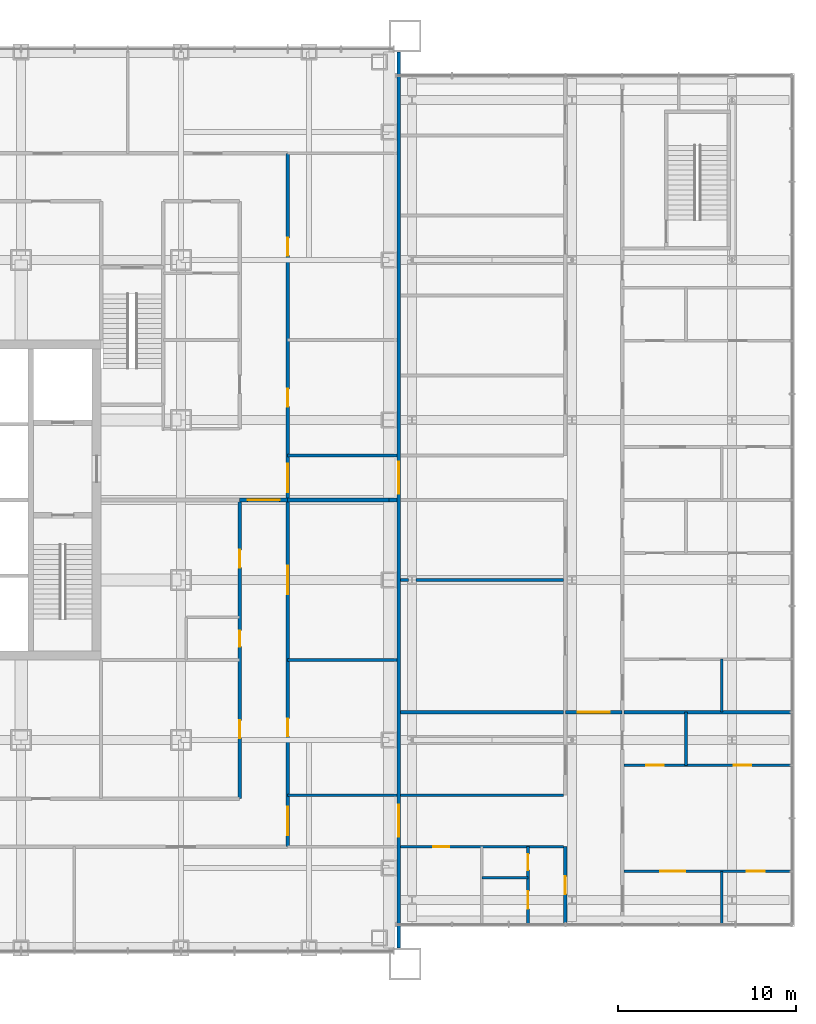
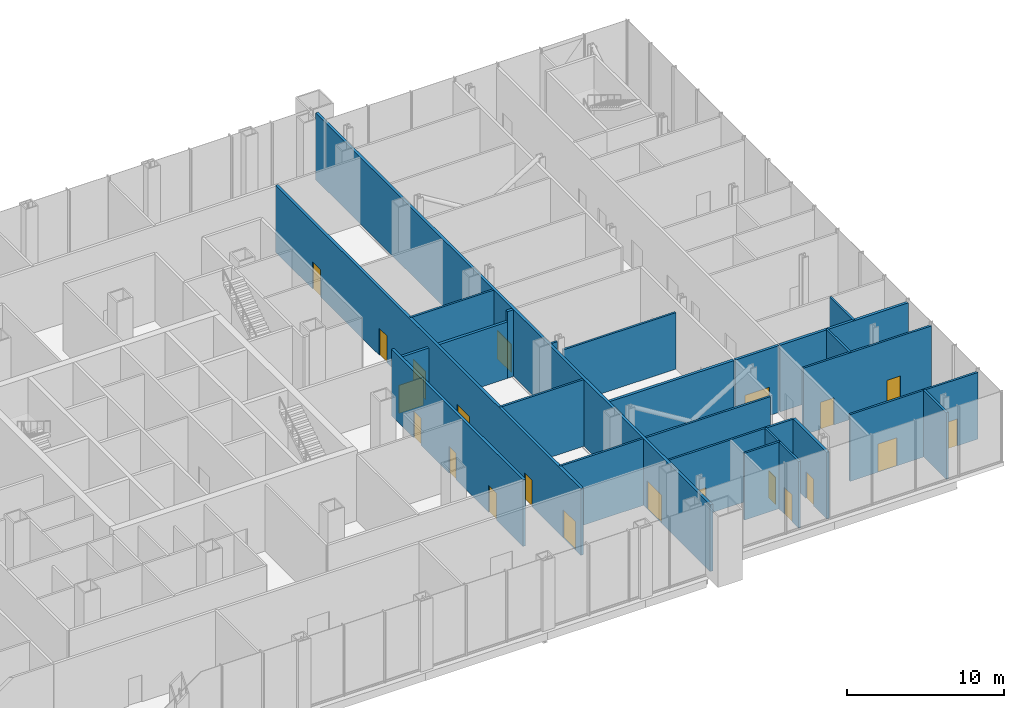
# One storey, part 17 of 25: 24 walls, 21 doors, 21 openings.
"""IFC4 building model written with IfcOpenShell, lengths in metres."""

from ifc_helpers import new_model, si_unit, direction, frame, frame_2d, origin, place, context, subcontext, project, spatial, rectangle, extrude, material, layer, layer_set, type_object, element, fill, save


model = new_model("IFC4")

# Units and contexts
model_context = context("Model", 3, precision=1e-05, world=origin(), true_north=direction((0.0, 1.0)))
body_context = subcontext(model_context, "Body", "Model", "MODEL_VIEW")
ifc_project = project(units=[si_unit("LENGTHUNIT", "METRE"), si_unit("AREAUNIT", "SQUARE_METRE"), si_unit("VOLUMEUNIT", "CUBIC_METRE"), si_unit("PLANEANGLEUNIT", "RADIAN"), si_unit("MASSUNIT", "GRAM", prefix="KILO")], contexts=[model_context])

# Site, building, storey
site_placement = place(None, origin())
site = spatial("IfcSite", under=ifc_project, at=site_placement, CompositionType="ELEMENT")
building_placement = place(site_placement, origin())
building = spatial("IfcBuilding", under=site, at=building_placement, Name="Malebo Sky Hospital", CompositionType="ELEMENT")
storey_placement = place(building_placement, frame((0.0, 0.0, 11.0)))
storey = spatial("IfcBuildingStorey", under=building, at=storey_placement, Name="L02", CompositionType="ELEMENT", Elevation=11.0)

# Wall, openings, doors
ifc_material_1 = material(Name="Gypsum board on steel studs", Category="steel")
ifc_layer_1 = layer(ifc_material_1, 0.199951171875)
ifc_layer_set_1 = layer_set([ifc_layer_1], Name="CORRIDOR WALL 200")
wall_type_1 = type_object("IfcWallType", Name="CORRIDOR WALL 200", PredefinedType="PARTITIONING", material=ifc_layer_set_1)
wall_1_placement = place(storey_placement, frame((79.5, 81.5, 0.0), z_axis=(0.0, 0.0, 1.0), x_axis=(0.0, -1.0, 0.0)))
wall_1 = element("IfcWall", 1, at=wall_1_placement, inside=storey, type_object=wall_type_1, Name="Corridor Wall 200 ECO", PredefinedType="PARTITIONING", context=body_context, shape_type="SweptSolid", body=[
    extrude(rectangle(XDim=39.0, YDim=0.199951171875, at=frame_2d((19.5, 0.0))), origin(), (0.0, 0.0, 1.0), 5.199951171875),
])
opening_1_placement = place(wall_1_placement, frame((4.75, 0.0, 0.0)))
opening_1 = element("IfcOpeningElement", 2, at=opening_1_placement, cuts=wall_1, Name="Opening D03", PredefinedType="OPENING", context=body_context, shape_type="SweptSolid", body=[
    extrude(rectangle(XDim=1.0, YDim=2.10009765625, at=frame_2d((0.5, 1.050048828125))), frame((0.0, 0.10986328125, 0.0), z_axis=(0.0, -1.0, 0.0), x_axis=(1.0, 0.0, 0.0)), (0.0, 0.0, 1.0), 0.219970703125),
])
opening_2_placement = place(wall_1_placement, frame((13.25, 0.0, 0.0)))
opening_2 = element("IfcOpeningElement", 3, at=opening_2_placement, cuts=wall_1, Name="Opening D03", PredefinedType="OPENING", context=body_context, shape_type="SweptSolid", body=[
    extrude(rectangle(XDim=1.0, YDim=2.10009765625, at=frame_2d((0.5, 1.050048828125))), frame((0.0, 0.10986328125, 0.0), z_axis=(0.0, -1.0, 0.0), x_axis=(1.0, 0.0, 0.0)), (0.0, 0.0, 1.0), 0.219970703125),
])
opening_3_placement = place(wall_1_placement, frame((17.449951171875, 0.0, 0.0)))
opening_3 = element("IfcOpeningElement", 4, at=opening_3_placement, cuts=wall_1, Name="Opening D14", PredefinedType="OPENING", context=body_context, shape_type="SweptSolid", body=[
    extrude(rectangle(XDim=1.60009765625, YDim=2.199951171875, at=frame_2d((0.800048828125, 1.10009765625))), frame((0.0, 0.10986328125, 0.0), z_axis=(0.0, -1.0, 0.0), x_axis=(1.0, 0.0, 0.0)), (0.0, 0.0, 1.0), 0.219970703125),
])
opening_4_placement = place(wall_1_placement, frame((23.199951171875, 0.0, 0.0)))
opening_4 = element("IfcOpeningElement", 5, at=opening_4_placement, cuts=wall_1, Name="Opening D14", PredefinedType="OPENING", context=body_context, shape_type="SweptSolid", body=[
    extrude(rectangle(XDim=1.60009765625, YDim=2.199951171875, at=frame_2d((0.800048828125, 1.10009765625))), frame((0.0, 0.10986328125, 0.0), z_axis=(0.0, -1.0, 0.0), x_axis=(1.0, 0.0, 0.0)), (0.0, 0.0, 1.0), 0.219970703125),
])
opening_5_placement = place(wall_1_placement, frame((31.800048828125, 0.0, 0.0)))
opening_5 = element("IfcOpeningElement", 6, at=opening_5_placement, cuts=wall_1, Name="Opening D03", PredefinedType="OPENING", context=body_context, shape_type="SweptSolid", body=[
    extrude(rectangle(XDim=1.0, YDim=2.10009765625, at=frame_2d((0.5, 1.050048828125))), frame((0.0, 0.10986328125, 0.0), z_axis=(0.0, -1.0, 0.0), x_axis=(1.0, 0.0, 0.0)), (0.0, 0.0, 1.0), 0.219970703125),
])
opening_6_placement = place(wall_1_placement, frame((36.75, 0.0, 0.0)))
opening_6 = element("IfcOpeningElement", 7, at=opening_6_placement, cuts=wall_1, Name="Opening D14", PredefinedType="OPENING", context=body_context, shape_type="SweptSolid", body=[
    extrude(rectangle(XDim=1.60009765625, YDim=2.199951171875, at=frame_2d((0.800048828125, 1.10009765625))), frame((0.0, 0.10986328125, 0.0), z_axis=(0.0, -1.0, 0.0), x_axis=(1.0, 0.0, 0.0)), (0.0, 0.0, 1.0), 0.219970703125),
])
ifc_material_2 = material(Name="Hardwood-faced door leaf in steel frame", Category="steel")
door_type_1 = type_object("IfcDoorType", Name="DEPARTMENT DOOR PAIR 1600", OperationType="DOUBLE_DOOR_DOUBLE_SWING", PredefinedType="DOOR", material=ifc_material_2)
door_1_placement = place(opening_3_placement, origin())
door_1 = element("IfcDoor", 8, at=door_1_placement, inside=storey, type_object=door_type_1, Name="Link corridor door pair", OperationType="DOUBLE_DOOR_DOUBLE_SWING", OverallHeight=2.199951171875, OverallWidth=1.60009765625, PredefinedType="DOOR", context=body_context, shape_type="SweptSolid", body=[
    extrude(rectangle(XDim=1.60009765625, YDim=2.199951171875, at=frame_2d((0.800048828125, 1.10009765625))), frame((0.0, 0.02490234375, 0.0), z_axis=(0.0, -1.0, 0.0), x_axis=(1.0, 0.0, 0.0)), (0.0, 0.0, 1.0), 0.050048828125),
])
fill(opening_3, door_1)
door_2_placement = place(opening_4_placement, origin())
door_2 = element("IfcDoor", 9, at=door_2_placement, inside=storey, type_object=door_type_1, Name="Anaesthetic equipment store door", OperationType="DOUBLE_DOOR_DOUBLE_SWING", OverallHeight=2.199951171875, OverallWidth=1.60009765625, PredefinedType="DOOR", context=body_context, shape_type="SweptSolid", body=[
    extrude(rectangle(XDim=1.60009765625, YDim=2.199951171875, at=frame_2d((0.800048828125, 1.10009765625))), frame((0.0, 0.02490234375, 0.0), z_axis=(0.0, -1.0, 0.0), x_axis=(1.0, 0.0, 0.0)), (0.0, 0.0, 1.0), 0.050048828125),
])
fill(opening_4, door_2)
door_3_placement = place(opening_6_placement, origin())
door_3 = element("IfcDoor", 10, at=door_3_placement, inside=storey, type_object=door_type_1, Name="Link corridor door pair", OperationType="DOUBLE_DOOR_DOUBLE_SWING", OverallHeight=2.199951171875, OverallWidth=1.60009765625, PredefinedType="DOOR", context=body_context, shape_type="SweptSolid", body=[
    extrude(rectangle(XDim=1.60009765625, YDim=2.199951171875, at=frame_2d((0.800048828125, 1.10009765625))), frame((0.0, 0.02490234375, 0.0), z_axis=(0.0, -1.0, 0.0), x_axis=(1.0, 0.0, 0.0)), (0.0, 0.0, 1.0), 0.050048828125),
])
fill(opening_6, door_3)
door_type_2 = type_object("IfcDoorType", Name="ROOM DOOR 1000", OperationType="SINGLE_SWING_LEFT", PredefinedType="DOOR", material=ifc_material_2)
door_4_placement = place(opening_1_placement, origin())
door_4 = element("IfcDoor", 11, at=door_4_placement, inside=storey, type_object=door_type_2, Name="Theatre staff rest room door", OperationType="SINGLE_SWING_LEFT", OverallHeight=2.10009765625, OverallWidth=1.0, PredefinedType="DOOR", context=body_context, shape_type="SweptSolid", body=[
    extrude(rectangle(XDim=1.0, YDim=2.10009765625, at=frame_2d((0.5, 1.050048828125))), frame((0.0, 0.02490234375, 0.0), z_axis=(0.0, -1.0, 0.0), x_axis=(1.0, 0.0, 0.0)), (0.0, 0.0, 1.0), 0.050048828125),
])
fill(opening_1, door_4)
door_5_placement = place(opening_2_placement, origin())
door_5 = element("IfcDoor", 12, at=door_5_placement, inside=storey, type_object=door_type_2, Name="Theatre manager's office door", OperationType="SINGLE_SWING_LEFT", OverallHeight=2.10009765625, OverallWidth=1.0, PredefinedType="DOOR", context=body_context, shape_type="SweptSolid", body=[
    extrude(rectangle(XDim=1.0, YDim=2.10009765625, at=frame_2d((0.5, 1.050048828125))), frame((0.0, 0.02490234375, 0.0), z_axis=(0.0, -1.0, 0.0), x_axis=(1.0, 0.0, 0.0)), (0.0, 0.0, 1.0), 0.050048828125),
])
fill(opening_2, door_5)
door_6_placement = place(opening_5_placement, origin())
door_6 = element("IfcDoor", 13, at=door_6_placement, inside=storey, type_object=door_type_2, Name="Theatre dirty utility room door", OperationType="SINGLE_SWING_LEFT", OverallHeight=2.10009765625, OverallWidth=1.0, PredefinedType="DOOR", context=body_context, shape_type="SweptSolid", body=[
    extrude(rectangle(XDim=1.0, YDim=2.10009765625, at=frame_2d((0.5, 1.050048828125))), frame((0.0, 0.02490234375, 0.0), z_axis=(0.0, -1.0, 0.0), x_axis=(1.0, 0.0, 0.0)), (0.0, 0.0, 1.0), 0.050048828125),
])
fill(opening_5, door_6)

wall_2_placement = place(storey_placement, frame((76.800048828125, 62.0, 0.0), z_axis=(0.0, 0.0, 1.0), x_axis=(0.0, -1.0, 0.0)))
wall_2 = element("IfcWall", 14, at=wall_2_placement, inside=storey, type_object=wall_type_1, Name="Corridor Wall 200 ECI2", PredefinedType="PARTITIONING", context=body_context, shape_type="SweptSolid", body=[
    extrude(rectangle(XDim=16.800048828125, YDim=0.199951171875, at=frame_2d((8.39990234375, 0.0))), origin(), (0.0, 0.0, 1.0), 5.199951171875),
])
opening_7_placement = place(wall_2_placement, frame((12.39990234375, 0.0, 0.0)))
opening_7 = element("IfcOpeningElement", 15, at=opening_7_placement, cuts=wall_2, Name="Opening D03", PredefinedType="OPENING", context=body_context, shape_type="SweptSolid", body=[
    extrude(rectangle(XDim=1.0, YDim=2.10009765625, at=frame_2d((0.5, 1.050048828125))), frame((0.0, 0.10986328125, 0.0), z_axis=(0.0, -1.0, 0.0), x_axis=(1.0, 0.0, 0.0)), (0.0, 0.0, 1.0), 0.219970703125),
])
opening_8_placement = place(wall_2_placement, frame((7.35009765625, 0.0, 0.0)))
opening_8 = element("IfcOpeningElement", 16, at=opening_8_placement, cuts=wall_2, Name="Opening D04", PredefinedType="OPENING", context=body_context, shape_type="SweptSolid", body=[
    extrude(rectangle(XDim=0.89990234375, YDim=2.10009765625, at=frame_2d((0.449951171875, 1.050048828125))), frame((0.0, 0.10986328125, 0.0), z_axis=(0.0, -1.0, 0.0), x_axis=(1.0, 0.0, 0.0)), (0.0, 0.0, 1.0), 0.219970703125),
])
opening_9_placement = place(wall_2_placement, frame((2.800048828125, 0.0, 0.0)))
opening_9 = element("IfcOpeningElement", 17, at=opening_9_placement, cuts=wall_2, Name="Opening D03", PredefinedType="OPENING", context=body_context, shape_type="SweptSolid", body=[
    extrude(rectangle(XDim=1.0, YDim=2.10009765625, at=frame_2d((0.5, 1.050048828125))), frame((0.0, 0.10986328125, 0.0), z_axis=(0.0, -1.0, 0.0), x_axis=(1.0, 0.0, 0.0)), (0.0, 0.0, 1.0), 0.219970703125),
])
door_7_placement = place(opening_7_placement, origin())
door_7 = element("IfcDoor", 18, at=door_7_placement, inside=storey, type_object=door_type_2, Name="Linen store door", OperationType="SINGLE_SWING_RIGHT", OverallHeight=2.10009765625, OverallWidth=1.0, PredefinedType="DOOR", context=body_context, shape_type="SweptSolid", body=[
    extrude(rectangle(XDim=1.0, YDim=2.10009765625, at=frame_2d((0.5, 1.050048828125))), frame((0.0, 0.02490234375, 0.0), z_axis=(0.0, -1.0, 0.0), x_axis=(1.0, 0.0, 0.0)), (0.0, 0.0, 1.0), 0.050048828125),
])
fill(opening_7, door_7)
door_8_placement = place(opening_9_placement, origin())
door_8 = element("IfcDoor", 19, at=door_8_placement, inside=storey, type_object=door_type_2, Name="Cleaning equipment store door", OperationType="SINGLE_SWING_LEFT", OverallHeight=2.10009765625, OverallWidth=1.0, PredefinedType="DOOR", context=body_context, shape_type="SweptSolid", body=[
    extrude(rectangle(XDim=1.0, YDim=2.10009765625, at=frame_2d((0.5, 1.050048828125))), frame((0.0, 0.02490234375, 0.0), z_axis=(0.0, -1.0, 0.0), x_axis=(1.0, 0.0, 0.0)), (0.0, 0.0, 1.0), 0.050048828125),
])
fill(opening_9, door_8)
door_type_3 = type_object("IfcDoorType", Name="ROOM DOOR 900", OperationType="SINGLE_SWING_LEFT", PredefinedType="DOOR", material=ifc_material_2)
door_9_placement = place(opening_8_placement, origin())
door_9 = element("IfcDoor", 20, at=door_9_placement, inside=storey, type_object=door_type_3, Name="Cleaner's room door", OperationType="SINGLE_SWING_LEFT", OverallHeight=2.10009765625, OverallWidth=0.89990234375, PredefinedType="DOOR", context=body_context, shape_type="SweptSolid", body=[
    extrude(rectangle(XDim=0.89990234375, YDim=2.10009765625, at=frame_2d((0.449951171875, 1.050048828125))), frame((0.0, 0.02490234375, 0.0), z_axis=(0.0, -1.0, 0.0), x_axis=(1.0, 0.0, 0.0)), (0.0, 0.0, 1.0), 0.050048828125),
])
fill(opening_8, door_9)

# Wall, opening, door
wall_3_placement = place(storey_placement, frame((95.117919921875, 38.14990234375, 0.0), z_axis=(0.0, 0.0, 1.0), x_axis=(0.0, 1.0, 0.0)))
wall_3 = element("IfcWall", 21, at=wall_3_placement, inside=storey, type_object=wall_type_1, Name="Corridor Wall 200 EWC2A", PredefinedType="PARTITIONING", context=body_context, shape_type="SweptSolid", body=[
    extrude(rectangle(XDim=4.35009765625, YDim=0.199951171875, at=frame_2d((2.175048828125, 0.0))), origin(), (0.0, 0.0, 1.0), 5.199951171875),
])
opening_10_placement = place(wall_3_placement, frame((1.675048828125, 0.0, 0.0)))
opening_10 = element("IfcOpeningElement", 22, at=opening_10_placement, cuts=wall_3, Name="Opening D03", PredefinedType="OPENING", context=body_context, shape_type="SweptSolid", body=[
    extrude(rectangle(XDim=1.0, YDim=2.10009765625, at=frame_2d((0.5, 1.050048828125))), frame((0.0, 0.10986328125, 0.0), z_axis=(0.0, -1.0, 0.0), x_axis=(1.0, 0.0, 0.0)), (0.0, 0.0, 1.0), 0.219970703125),
])
door_10_placement = place(opening_10_placement, origin())
door_10 = element("IfcDoor", 23, at=door_10_placement, inside=storey, type_object=door_type_2, Name="WC vestibule door", OperationType="SINGLE_SWING_RIGHT", OverallHeight=2.10009765625, OverallWidth=1.0, PredefinedType="DOOR", context=body_context, shape_type="SweptSolid", body=[
    extrude(rectangle(XDim=1.0, YDim=2.10009765625, at=frame_2d((0.5, 1.050048828125))), frame((0.0, 0.02490234375, 0.0), z_axis=(0.0, -1.0, 0.0), x_axis=(1.0, 0.0, 0.0)), (0.0, 0.0, 1.0), 0.050048828125),
])
fill(opening_10, door_10)

# Wall, openings, doors
ifc_material_3 = material(Name="Concrete blockwork", Category="masonry")
ifc_layer_2 = layer(ifc_material_3, 0.199951171875)
ifc_layer_set_2 = layer_set([ifc_layer_2], Name="MOVEMENT JOINT WALL 200")
wall_type_2 = type_object("IfcWallType", Name="MOVEMENT JOINT WALL 200", PredefinedType="SOLIDWALL", material=ifc_layer_set_2)
wall_4_placement = place(storey_placement, frame((85.75, 36.800048828125, 0.0), z_axis=(0.0, 0.0, 1.0), x_axis=(0.0, 1.0, 0.0)))
wall_4 = element("IfcWall", 24, at=wall_4_placement, inside=storey, type_object=wall_type_2, Name="Movement Joint Wall 200 EJ", PredefinedType="SOLIDWALL", context=body_context, shape_type="SweptSolid", body=[
    extrude(rectangle(XDim=50.39990234375, YDim=0.199951171875, at=frame_2d((25.199951171875, 0.0))), origin(), (0.0, 0.0, 1.0), 5.199951171875),
])
opening_11_placement = place(wall_4_placement, frame((6.25, 0.0, 0.0)))
opening_11 = element("IfcOpeningElement", 25, at=opening_11_placement, cuts=wall_4, Name="Opening D28", PredefinedType="OPENING", context=body_context, shape_type="SweptSolid", body=[
    extrude(rectangle(XDim=1.800048828125, YDim=2.199951171875, at=frame_2d((0.89990234375, 1.10009765625))), frame((0.0, 0.10986328125, 0.0), z_axis=(0.0, -1.0, 0.0), x_axis=(1.0, 0.0, 0.0)), (0.0, 0.0, 1.0), 0.219970703125),
])
opening_12_placement = place(wall_4_placement, frame((25.550048828125, 0.0, 0.0)))
opening_12 = element("IfcOpeningElement", 26, at=opening_12_placement, cuts=wall_4, Name="Opening D28", PredefinedType="OPENING", context=body_context, shape_type="SweptSolid", body=[
    extrude(rectangle(XDim=1.800048828125, YDim=2.199951171875, at=frame_2d((0.89990234375, 1.10009765625))), frame((0.0, 0.10986328125, 0.0), z_axis=(0.0, -1.0, 0.0), x_axis=(1.0, 0.0, 0.0)), (0.0, 0.0, 1.0), 0.219970703125),
])
door_type_4 = type_object("IfcDoorType", Name="FIRE DOOR PAIR 1800", OperationType="DOUBLE_DOOR_SINGLE_SWING", PredefinedType="DOOR", material=ifc_material_2)
door_11_placement = place(opening_11_placement, origin())
door_11 = element("IfcDoor", 27, at=door_11_placement, inside=storey, type_object=door_type_4, Name="Link fire door pair", OperationType="DOUBLE_DOOR_SINGLE_SWING", OverallHeight=2.199951171875, OverallWidth=1.800048828125, PredefinedType="DOOR", context=body_context, shape_type="SweptSolid", body=[
    extrude(rectangle(XDim=1.800048828125, YDim=2.199951171875, at=frame_2d((0.89990234375, 1.10009765625))), frame((0.0, 0.02490234375, 0.0), z_axis=(0.0, -1.0, 0.0), x_axis=(1.0, 0.0, 0.0)), (0.0, 0.0, 1.0), 0.050048828125),
])
fill(opening_11, door_11)
door_12_placement = place(opening_12_placement, origin())
door_12 = element("IfcDoor", 28, at=door_12_placement, inside=storey, type_object=door_type_4, Name="Link fire door pair", OperationType="DOUBLE_DOOR_SINGLE_SWING", OverallHeight=2.199951171875, OverallWidth=1.800048828125, PredefinedType="DOOR", context=body_context, shape_type="SweptSolid", body=[
    extrude(rectangle(XDim=1.800048828125, YDim=2.199951171875, at=frame_2d((0.89990234375, 1.10009765625))), frame((0.0, 0.02490234375, 0.0), z_axis=(0.0, -1.0, 0.0), x_axis=(1.0, 0.0, 0.0)), (0.0, 0.0, 1.0), 0.050048828125),
])
fill(opening_12, door_12)

# Walls
ifc_layer_3 = layer(ifc_material_1, 0.14990234375)
ifc_layer_set_3 = layer_set([ifc_layer_3], Name="PARTITION 150")
wall_type_3 = type_object("IfcWallType", Name="PARTITION 150", PredefinedType="PARTITIONING", material=ifc_layer_set_3)
for number, where, z_axis, x_axis, name in (
    (29, (79.5, 64.5, 0.0), (0.0, 0.0, 1.0), (1.0, 0.0, 0.0), "Partition 150 EP-2.5"),
    (30, (79.5, 53.0, 0.0), (0.0, 0.0, 1.0), (1.0, 0.0, 0.0), "Partition 150 EP+9.0"),
    (31, (79.5, 45.39990234375, 0.0), (0.0, 0.0, 1.0), (1.0, 0.0, 0.0), "Partition 150 EP+16.6"),
):
    element("IfcWall", number, at=place(storey_placement, frame(where, z_axis=z_axis, x_axis=x_axis)), inside=storey, type_object=wall_type_3, Name=name, PredefinedType="PARTITIONING", context=body_context, shape_type="SweptSolid", body=[
        extrude(rectangle(XDim=6.14990234375, YDim=0.14990234375, at=frame_2d((3.074951171875, 0.0))), origin(), (0.0, 0.0, 1.0), 5.199951171875),
    ])

# Wall, openings, doors
wall_5_placement = place(storey_placement, frame((107.85009765625, 41.109375, 0.0), z_axis=(0.0, 0.0, 1.0), x_axis=(-1.0, 0.0, 0.0)))
wall_5 = element("IfcWall", 32, at=wall_5_placement, inside=storey, type_object=wall_type_3, Name="Partition 150 EOH00", PredefinedType="PARTITIONING", context=body_context, shape_type="SweptSolid", body=[
    extrude(rectangle(XDim=9.443115234375, YDim=0.14990234375, at=frame_2d((4.7216796875, 0.0))), origin(), (0.0, 0.0, 1.0), 5.199951171875),
])
opening_13_placement = place(wall_5_placement, frame((5.992919921875, 0.0, 0.0)))
opening_13 = element("IfcOpeningElement", 33, at=opening_13_placement, cuts=wall_5, Name="Opening D25", PredefinedType="OPENING", context=body_context, shape_type="SweptSolid", body=[
    extrude(rectangle(XDim=1.39990234375, YDim=2.199951171875, at=frame_2d((0.699951171875, 1.10009765625))), frame((0.0, 0.0849609375, 0.0), z_axis=(0.0, -1.0, 0.0), x_axis=(1.0, 0.0, 0.0)), (0.0, 0.0, 1.0), 0.169921875),
])
opening_14_placement = place(wall_5_placement, frame((1.521484375, 0.0, 0.0)))
opening_14 = element("IfcOpeningElement", 34, at=opening_14_placement, cuts=wall_5, Name="Opening D03", PredefinedType="OPENING", context=body_context, shape_type="SweptSolid", body=[
    extrude(rectangle(XDim=1.0, YDim=2.10009765625, at=frame_2d((0.5, 1.050048828125))), frame((0.0, 0.0849609375, 0.0), z_axis=(0.0, -1.0, 0.0), x_axis=(1.0, 0.0, 0.0)), (0.0, 0.0, 1.0), 0.169921875),
])
door_type_5 = type_object("IfcDoorType", Name="BED DOOR PAIR 1400", OperationType="DOUBLE_DOOR_SINGLE_SWING", PredefinedType="DOOR", material=ifc_material_2)
door_13_placement = place(opening_13_placement, origin())
door_13 = element("IfcDoor", 35, at=door_13_placement, inside=storey, type_object=door_type_5, Name="Anaesthetic room inner door", OperationType="DOUBLE_DOOR_SINGLE_SWING", OverallHeight=2.199951171875, OverallWidth=1.39990234375, PredefinedType="DOOR", context=body_context, shape_type="SweptSolid", body=[
    extrude(rectangle(XDim=1.39990234375, YDim=2.199951171875, at=frame_2d((0.699951171875, 1.10009765625))), frame((0.0, 0.02490234375, 0.0), z_axis=(0.0, -1.0, 0.0), x_axis=(1.0, 0.0, 0.0)), (0.0, 0.0, 1.0), 0.050048828125),
])
fill(opening_13, door_13)
door_14_placement = place(opening_14_placement, origin())
door_14 = element("IfcDoor", 36, at=door_14_placement, inside=storey, type_object=door_type_2, Name="Dirty utility room inner door", OperationType="SINGLE_SWING_RIGHT", OverallHeight=2.10009765625, OverallWidth=1.0, PredefinedType="DOOR", context=body_context, shape_type="SweptSolid", body=[
    extrude(rectangle(XDim=1.0, YDim=2.10009765625, at=frame_2d((0.5, 1.050048828125))), frame((0.0, 0.02490234375, 0.0), z_axis=(0.0, -1.0, 0.0), x_axis=(1.0, 0.0, 0.0)), (0.0, 0.0, 1.0), 0.050048828125),
])
fill(opening_14, door_14)

wall_6_placement = place(storey_placement, frame((107.85009765625, 47.078125, 0.0), z_axis=(0.0, 0.0, 1.0), x_axis=(-1.0, 0.0, 0.0)))
wall_6 = element("IfcWall", 37, at=wall_6_placement, inside=storey, type_object=wall_type_3, Name="Partition 150 EOH01", PredefinedType="PARTITIONING", context=body_context, shape_type="SweptSolid", body=[
    extrude(rectangle(XDim=9.443115234375, YDim=0.14990234375, at=frame_2d((4.7216796875, 0.0))), origin(), (0.0, 0.0, 1.0), 5.199951171875),
])
opening_15_placement = place(wall_6_placement, frame((7.193115234375, 0.0, 0.0)))
opening_15 = element("IfcOpeningElement", 38, at=opening_15_placement, cuts=wall_6, Name="Opening D03", PredefinedType="OPENING", context=body_context, shape_type="SweptSolid", body=[
    extrude(rectangle(XDim=1.0, YDim=2.10009765625, at=frame_2d((0.5, 1.050048828125))), frame((0.0, 0.0849609375, 0.0), z_axis=(0.0, -1.0, 0.0), x_axis=(1.0, 0.0, 0.0)), (0.0, 0.0, 1.0), 0.169921875),
])
opening_16_placement = place(wall_6_placement, frame((2.271484375, 0.0, 0.0)))
opening_16 = element("IfcOpeningElement", 39, at=opening_16_placement, cuts=wall_6, Name="Opening D03", PredefinedType="OPENING", context=body_context, shape_type="SweptSolid", body=[
    extrude(rectangle(XDim=1.0, YDim=2.10009765625, at=frame_2d((0.5, 1.050048828125))), frame((0.0, 0.0849609375, 0.0), z_axis=(0.0, -1.0, 0.0), x_axis=(1.0, 0.0, 0.0)), (0.0, 0.0, 1.0), 0.169921875),
])
door_15_placement = place(opening_15_placement, origin())
door_15 = element("IfcDoor", 40, at=door_15_placement, inside=storey, type_object=door_type_2, Name="Scrub room inner door", OperationType="SINGLE_SWING_LEFT", OverallHeight=2.10009765625, OverallWidth=1.0, PredefinedType="DOOR", context=body_context, shape_type="SweptSolid", body=[
    extrude(rectangle(XDim=1.0, YDim=2.10009765625, at=frame_2d((0.5, 1.050048828125))), frame((0.0, 0.02490234375, 0.0), z_axis=(0.0, -1.0, 0.0), x_axis=(1.0, 0.0, 0.0)), (0.0, 0.0, 1.0), 0.050048828125),
])
fill(opening_15, door_15)
door_16_placement = place(opening_16_placement, origin())
door_16 = element("IfcDoor", 41, at=door_16_placement, inside=storey, type_object=door_type_2, Name="Preparation room inner door", OperationType="SINGLE_SWING_LEFT", OverallHeight=2.10009765625, OverallWidth=1.0, PredefinedType="DOOR", context=body_context, shape_type="SweptSolid", body=[
    extrude(rectangle(XDim=1.0, YDim=2.10009765625, at=frame_2d((0.5, 1.050048828125))), frame((0.0, 0.02490234375, 0.0), z_axis=(0.0, -1.0, 0.0), x_axis=(1.0, 0.0, 0.0)), (0.0, 0.0, 1.0), 0.050048828125),
])
fill(opening_16, door_16)

# Walls
wall_7_placement = place(storey_placement, frame((103.906982421875, 38.14990234375, 0.0), z_axis=(0.0, 0.0, 1.0), x_axis=(0.0, 1.0, 0.0)))
element("IfcWall", 42, at=wall_7_placement, inside=storey, type_object=wall_type_3, Name="Partition 150 EOV08", PredefinedType="PARTITIONING", context=body_context, shape_type="SweptSolid", body=[
    extrude(rectangle(XDim=2.95947265625, YDim=0.14990234375, at=frame_2d((1.479736328125, 0.0))), origin(), (0.0, 0.0, 1.0), 5.199951171875),
])
for number, where, z_axis, x_axis, name in (
    (43, (103.906982421875, 50.0625, 0.0), (0.0, 0.0, 1.0), (0.0, 1.0, 0.0), "Partition 150 EOV09"),
    (44, (101.906982421875, 47.078125, 0.0), (0.0, 0.0, 1.0), (0.0, 1.0, 0.0), "Partition 150 EOV11"),
):
    element("IfcWall", number, at=place(storey_placement, frame(where, z_axis=z_axis, x_axis=x_axis)), inside=storey, type_object=wall_type_3, Name=name, PredefinedType="PARTITIONING", context=body_context, shape_type="SweptSolid", body=[
        extrude(rectangle(XDim=2.984375, YDim=0.14990234375, at=frame_2d((1.4921875, 0.0))), origin(), (0.0, 0.0, 1.0), 5.199951171875),
    ])
wall_8_placement = place(storey_placement, frame((93.01806640625, 40.75, 0.0), z_axis=(0.0, 0.0, 1.0), x_axis=(-1.0, 0.0, 0.0)))
element("IfcWall", 45, at=wall_8_placement, inside=storey, type_object=wall_type_3, Name="Partition 150 EIH00", PredefinedType="PARTITIONING", context=body_context, shape_type="SweptSolid", body=[
    extrude(rectangle(XDim=2.60009765625, YDim=0.14990234375, at=frame_2d((1.300048828125, 0.0))), origin(), (0.0, 0.0, 1.0), 5.199951171875),
])

# Wall, opening, door
wall_9_placement = place(storey_placement, frame((95.01806640625, 42.5, 0.0), z_axis=(0.0, 0.0, 1.0), x_axis=(-1.0, 0.0, 0.0)))
wall_9 = element("IfcWall", 46, at=wall_9_placement, inside=storey, type_object=wall_type_3, Name="Partition 150 EIH01", PredefinedType="PARTITIONING", context=body_context, shape_type="SweptSolid", body=[
    extrude(rectangle(XDim=9.16796875, YDim=0.14990234375, at=frame_2d((4.583984375, 0.0))), origin(), (0.0, 0.0, 1.0), 5.199951171875),
])
opening_17_placement = place(wall_9_placement, frame((6.43408203125, 0.0, 0.0)))
opening_17 = element("IfcOpeningElement", 47, at=opening_17_placement, cuts=wall_9, Name="Opening D04", PredefinedType="OPENING", context=body_context, shape_type="SweptSolid", body=[
    extrude(rectangle(XDim=0.89990234375, YDim=2.10009765625, at=frame_2d((0.449951171875, 1.050048828125))), frame((0.0, 0.0849609375, 0.0), z_axis=(0.0, -1.0, 0.0), x_axis=(1.0, 0.0, 0.0)), (0.0, 0.0, 1.0), 0.169921875),
])
door_17_placement = place(opening_17_placement, origin())
door_17 = element("IfcDoor", 48, at=door_17_placement, inside=storey, type_object=door_type_3, Name="Cleaner's room inner door", OperationType="SINGLE_SWING_LEFT", OverallHeight=2.10009765625, OverallWidth=0.89990234375, PredefinedType="DOOR", context=body_context, shape_type="SweptSolid", body=[
    extrude(rectangle(XDim=0.89990234375, YDim=2.10009765625, at=frame_2d((0.449951171875, 1.050048828125))), frame((0.0, 0.02490234375, 0.0), z_axis=(0.0, -1.0, 0.0), x_axis=(1.0, 0.0, 0.0)), (0.0, 0.0, 1.0), 0.050048828125),
])
fill(opening_17, door_17)

# Walls
wall_10_placement = place(storey_placement, frame((95.01806640625, 45.39990234375, 0.0), z_axis=(0.0, 0.0, 1.0), x_axis=(-1.0, 0.0, 0.0)))
element("IfcWall", 49, at=wall_10_placement, inside=storey, type_object=wall_type_3, Name="Partition 150 EIH02", PredefinedType="PARTITIONING", context=body_context, shape_type="SweptSolid", body=[
    extrude(rectangle(XDim=9.16796875, YDim=0.14990234375, at=frame_2d((4.583984375, 0.0))), origin(), (0.0, 0.0, 1.0), 5.199951171875),
])
wall_11_placement = place(storey_placement, frame((95.01806640625, 57.5, 0.0), z_axis=(0.0, 0.0, 1.0), x_axis=(-1.0, 0.0, 0.0)))
element("IfcWall", 50, at=wall_11_placement, inside=storey, type_object=wall_type_3, Name="Partition 150 EIH04", PredefinedType="PARTITIONING", context=body_context, shape_type="SweptSolid", body=[
    extrude(rectangle(XDim=8.302001953125, YDim=0.14990234375, at=frame_2d((4.15087890625, 0.0))), origin(), (0.0, 0.0, 1.0), 4.39990234375),
])
wall_12_placement = place(storey_placement, frame((86.283935546875, 57.5, 0.0), z_axis=(0.0, 0.0, 1.0), x_axis=(-1.0, 0.0, 0.0)))
element("IfcWall", 51, at=wall_12_placement, inside=storey, type_object=wall_type_3, Name="Partition 150 EIH04", PredefinedType="PARTITIONING", context=body_context, shape_type="SweptSolid", body=[
    extrude(rectangle(XDim=0.433837890625, YDim=0.14990234375, at=frame_2d((0.216796875, 0.0))), origin(), (0.0, 0.0, 1.0), 5.199951171875),
])

# Wall, openings, doors
wall_13_placement = place(storey_placement, frame((93.01806640625, 38.14990234375, 0.0), z_axis=(0.0, 0.0, 1.0), x_axis=(0.0, 1.0, 0.0)))
wall_13 = element("IfcWall", 52, at=wall_13_placement, inside=storey, type_object=wall_type_3, Name="Partition 150 EIV11", PredefinedType="PARTITIONING", context=body_context, shape_type="SweptSolid", body=[
    extrude(rectangle(XDim=4.35009765625, YDim=0.14990234375, at=frame_2d((2.175048828125, 0.0))), origin(), (0.0, 0.0, 1.0), 5.199951171875),
])
opening_18_placement = place(wall_13_placement, frame((0.85009765625, 0.0, 0.0)))
opening_18 = element("IfcOpeningElement", 53, at=opening_18_placement, cuts=wall_13, Name="Opening D03", PredefinedType="OPENING", context=body_context, shape_type="SweptSolid", body=[
    extrude(rectangle(XDim=1.0, YDim=2.10009765625, at=frame_2d((0.5, 1.050048828125))), frame((0.0, 0.0849609375, 0.0), z_axis=(0.0, -1.0, 0.0), x_axis=(1.0, 0.0, 0.0)), (0.0, 0.0, 1.0), 0.169921875),
])
opening_19_placement = place(wall_13_placement, frame((3.02490234375, 0.0, 0.0)))
opening_19 = element("IfcOpeningElement", 54, at=opening_19_placement, cuts=wall_13, Name="Opening D04", PredefinedType="OPENING", context=body_context, shape_type="SweptSolid", body=[
    extrude(rectangle(XDim=0.89990234375, YDim=2.10009765625, at=frame_2d((0.449951171875, 1.050048828125))), frame((0.0, 0.0849609375, 0.0), z_axis=(0.0, -1.0, 0.0), x_axis=(1.0, 0.0, 0.0)), (0.0, 0.0, 1.0), 0.169921875),
])
door_18_placement = place(opening_18_placement, origin())
door_18 = element("IfcDoor", 55, at=door_18_placement, inside=storey, type_object=door_type_2, Name="Accessible WC inner door", OperationType="SINGLE_SWING_RIGHT", OverallHeight=2.10009765625, OverallWidth=1.0, PredefinedType="DOOR", context=body_context, shape_type="SweptSolid", body=[
    extrude(rectangle(XDim=1.0, YDim=2.10009765625, at=frame_2d((0.5, 1.050048828125))), frame((0.0, 0.02490234375, 0.0), z_axis=(0.0, -1.0, 0.0), x_axis=(1.0, 0.0, 0.0)), (0.0, 0.0, 1.0), 0.050048828125),
])
fill(opening_18, door_18)
door_19_placement = place(opening_19_placement, origin())
door_19 = element("IfcDoor", 56, at=door_19_placement, inside=storey, type_object=door_type_3, Name="Staff WC inner door", OperationType="SINGLE_SWING_LEFT", OverallHeight=2.10009765625, OverallWidth=0.89990234375, PredefinedType="DOOR", context=body_context, shape_type="SweptSolid", body=[
    extrude(rectangle(XDim=0.89990234375, YDim=2.10009765625, at=frame_2d((0.449951171875, 1.050048828125))), frame((0.0, 0.02490234375, 0.0), z_axis=(0.0, -1.0, 0.0), x_axis=(1.0, 0.0, 0.0)), (0.0, 0.0, 1.0), 0.050048828125),
])
fill(opening_19, door_19)

# Walls
ifc_layer_4 = layer(ifc_material_3, 0.199951171875)
ifc_layer_set_4 = layer_set([ifc_layer_4], Name="SMOKE BARRIER WALL 200")
wall_type_4 = type_object("IfcWallType", Name="SMOKE BARRIER WALL 200", PredefinedType="SOLIDWALL", material=ifc_layer_set_4)
wall_14_placement = place(storey_placement, frame((79.5, 62.0, 0.0), z_axis=(0.0, 0.0, 1.0), x_axis=(1.0, 0.0, 0.0)))
element("IfcWall", 57, at=wall_14_placement, inside=storey, type_object=wall_type_4, Name="Smoke Barrier Wall 200 EP+0.0", PredefinedType="SOLIDWALL", context=body_context, shape_type="SweptSolid", body=[
    extrude(rectangle(XDim=5.699951171875, YDim=0.199951171875, at=frame_2d((2.85009765625, 0.0))), origin(), (0.0, 0.0, 1.0), 4.39990234375),
])
wall_15_placement = place(storey_placement, frame((85.199951171875, 62.0, 0.0), z_axis=(0.0, 0.0, 1.0), x_axis=(1.0, 0.0, 0.0)))
element("IfcWall", 58, at=wall_15_placement, inside=storey, type_object=wall_type_4, Name="Smoke Barrier Wall 200 EP+0.0", PredefinedType="SOLIDWALL", context=body_context, shape_type="SweptSolid", body=[
    extrude(rectangle(XDim=0.449951171875, YDim=0.199951171875, at=frame_2d((0.22509765625, 0.0))), origin(), (0.0, 0.0, 1.0), 5.199951171875),
])

# Wall, opening, door
wall_16_placement = place(storey_placement, frame((76.800048828125, 62.0, 0.0), z_axis=(0.0, 0.0, 1.0), x_axis=(1.0, 0.0, 0.0)))
wall_16 = element("IfcWall", 59, at=wall_16_placement, inside=storey, type_object=wall_type_4, Name="Smoke Barrier Wall 200 ESB", PredefinedType="SOLIDWALL", context=body_context, shape_type="SweptSolid", body=[
    extrude(rectangle(XDim=2.699951171875, YDim=0.199951171875, at=frame_2d((1.35009765625, 0.0))), origin(), (0.0, 0.0, 1.0), 4.39990234375),
])
opening_20_placement = place(wall_16_placement, frame((0.449951171875, 0.0, 0.0)))
opening_20 = element("IfcOpeningElement", 60, at=opening_20_placement, cuts=wall_16, Name="Opening D05", PredefinedType="OPENING", context=body_context, shape_type="SweptSolid", body=[
    extrude(rectangle(XDim=1.800048828125, YDim=2.199951171875, at=frame_2d((0.89990234375, 1.10009765625))), frame((0.0, 0.10986328125, 0.0), z_axis=(0.0, -1.0, 0.0), x_axis=(1.0, 0.0, 0.0)), (0.0, 0.0, 1.0), 0.219970703125),
])
door_type_6 = type_object("IfcDoorType", Name="SMOKE DOOR PAIR 1800", OperationType="DOUBLE_DOOR_DOUBLE_SWING", PredefinedType="DOOR", material=ifc_material_2)
door_20_placement = place(opening_20_placement, origin())
door_20 = element("IfcDoor", 61, at=door_20_placement, inside=storey, type_object=door_type_6, Name="Smoke compartment door pair", OperationType="DOUBLE_DOOR_DOUBLE_SWING", OverallHeight=2.199951171875, OverallWidth=1.800048828125, PredefinedType="DOOR", context=body_context, shape_type="SweptSolid", body=[
    extrude(rectangle(XDim=1.800048828125, YDim=2.199951171875, at=frame_2d((0.89990234375, 1.10009765625))), frame((0.0, 0.02490234375, 0.0), z_axis=(0.0, -1.0, 0.0), x_axis=(1.0, 0.0, 0.0)), (0.0, 0.0, 1.0), 0.050048828125),
])
fill(opening_20, door_20)

wall_17_placement = place(storey_placement, frame((98.306884765625, 50.0625, 0.0), z_axis=(0.0, 0.0, 1.0), x_axis=(-1.0, 0.0, 0.0)))
wall_17 = element("IfcWall", 62, at=wall_17_placement, inside=storey, type_object=wall_type_4, Name="Smoke Barrier Wall 200 EWSB", PredefinedType="SOLIDWALL", context=body_context, shape_type="SweptSolid", body=[
    extrude(rectangle(XDim=3.18896484375, YDim=0.199951171875, at=frame_2d((1.594482421875, 0.0))), origin(), (0.0, 0.0, 1.0), 5.199951171875),
])
opening_21_placement = place(wall_17_placement, frame((0.694580078125, 0.0, 0.0)))
opening_21 = element("IfcOpeningElement", 63, at=opening_21_placement, cuts=wall_17, Name="Opening D05", PredefinedType="OPENING", context=body_context, shape_type="SweptSolid", body=[
    extrude(rectangle(XDim=1.800048828125, YDim=2.199951171875, at=frame_2d((0.89990234375, 1.10009765625))), frame((0.0, 0.10986328125, 0.0), z_axis=(0.0, -1.0, 0.0), x_axis=(1.0, 0.0, 0.0)), (0.0, 0.0, 1.0), 0.219970703125),
])
door_21_placement = place(opening_21_placement, origin())
door_21 = element("IfcDoor", 64, at=door_21_placement, inside=storey, type_object=door_type_6, Name="Smoke compartment door pair", OperationType="DOUBLE_DOOR_DOUBLE_SWING", OverallHeight=2.199951171875, OverallWidth=1.800048828125, PredefinedType="DOOR", context=body_context, shape_type="SweptSolid", body=[
    extrude(rectangle(XDim=1.800048828125, YDim=2.199951171875, at=frame_2d((0.89990234375, 1.10009765625))), frame((0.0, 0.02490234375, 0.0), z_axis=(0.0, -1.0, 0.0), x_axis=(1.0, 0.0, 0.0)), (0.0, 0.0, 1.0), 0.050048828125),
])
fill(opening_21, door_21)

# Walls
wall_18_placement = place(storey_placement, frame((107.85009765625, 50.0625, 0.0), z_axis=(0.0, 0.0, 1.0), x_axis=(-1.0, 0.0, 0.0)))
element("IfcWall", 65, at=wall_18_placement, inside=storey, type_object=wall_type_4, Name="Smoke Barrier Wall 200 EOH02", PredefinedType="SOLIDWALL", context=body_context, shape_type="SweptSolid", body=[
    extrude(rectangle(XDim=9.443115234375, YDim=0.199951171875, at=frame_2d((4.7216796875, 0.0))), origin(), (0.0, 0.0, 1.0), 5.199951171875),
])
wall_19_placement = place(storey_placement, frame((95.01806640625, 50.0625, 0.0), z_axis=(0.0, 0.0, 1.0), x_axis=(-1.0, 0.0, 0.0)))
element("IfcWall", 66, at=wall_19_placement, inside=storey, type_object=wall_type_4, Name="Smoke Barrier Wall 200 EIH03", PredefinedType="SOLIDWALL", context=body_context, shape_type="SweptSolid", body=[
    extrude(rectangle(XDim=9.16796875, YDim=0.199951171875, at=frame_2d((4.583984375, 0.0))), origin(), (0.0, 0.0, 1.0), 5.199951171875),
])

save(model, "model.ifc")
